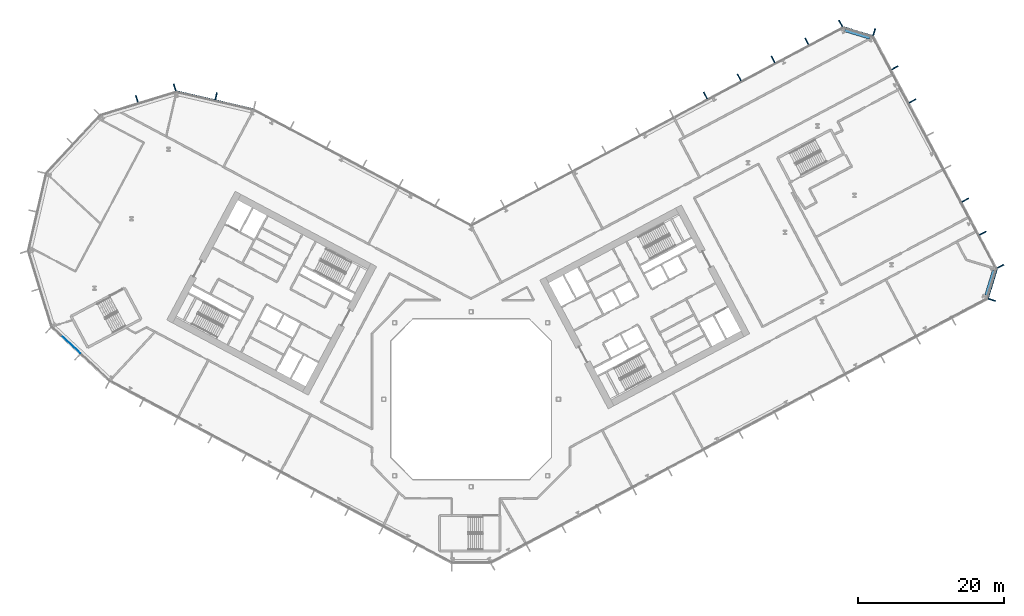
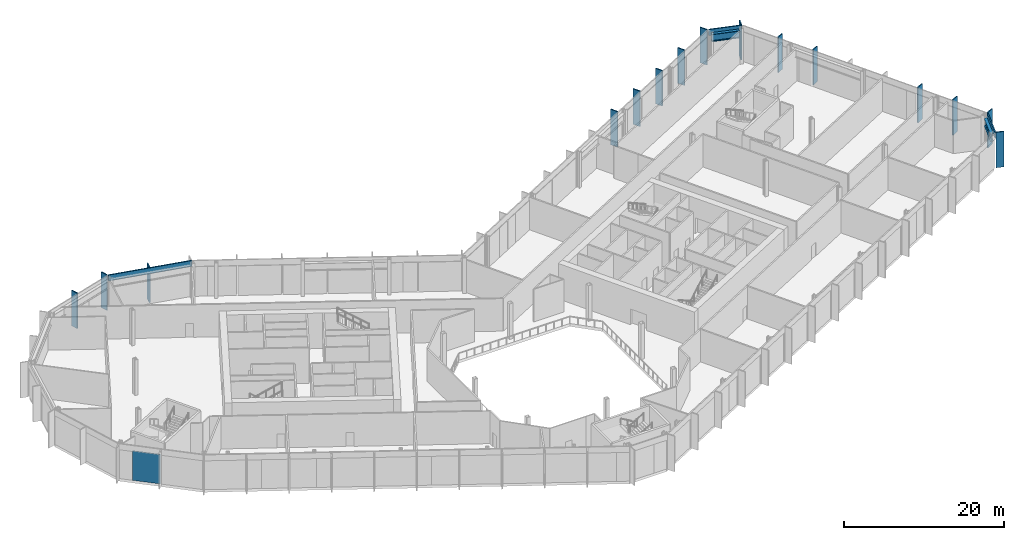
# One storey, part 8 of 32: 18 members, 2 beams, 1 plate, 7 elements without a shape of their own.
"""IFC4 building model written with IfcOpenShell, lengths in metres."""

from ifc_helpers import new_model, si_unit, direction, frame, origin, origin_2d, place, context, subcontext, project, spatial, rectangle, i_section, extrude, material, layer, layer_set, material_profile, profile_set, type_object, element, aggregate, save


model = new_model("IFC4")

# Units and contexts
model_context = context("Model", 3, precision=1e-05, world=origin(), true_north=direction((0.0, 1.0)))
body_context = subcontext(model_context, "Body", "Model", "MODEL_VIEW")
ifc_project = project(units=[si_unit("LENGTHUNIT", "METRE"), si_unit("AREAUNIT", "SQUARE_METRE"), si_unit("VOLUMEUNIT", "CUBIC_METRE"), si_unit("PLANEANGLEUNIT", "RADIAN"), si_unit("MASSUNIT", "GRAM", prefix="KILO")], contexts=[model_context])

# Site, building, storey
site_placement = place(None, origin())
site = spatial("IfcSite", under=ifc_project, at=site_placement, CompositionType="ELEMENT")
building_placement = place(site_placement, origin())
building = spatial("IfcBuilding", under=site, at=building_placement, Name="Cormorant Relay Tower", CompositionType="ELEMENT")
storey_placement = place(building_placement, frame((0.0, 0.0, 28.39990234375)))
storey = spatial("IfcBuildingStorey", under=building, at=storey_placement, Name="L05", CompositionType="ELEMENT", Elevation=28.39990234375)

# Curtain wall, member
ifc_material_1 = material(Name="Aluminium 6063-T6 anodised bronze", Category="aluminium")
ifc_layer_1 = layer(ifc_material_1, 0.235107421875)
ifc_layer_set_1 = layer_set([ifc_layer_1], Name="CW6 data hall curtain wall with mineral wool panels")
curtain_wall_type = type_object("IfcCurtainWallType", Name="CW6 data hall curtain wall with mineral wool panels", PredefinedType="NOTDEFINED", material=ifc_layer_set_1)
curtain_wall_1_placement = place(storey_placement, origin())
curtain_wall_1 = element("IfcCurtainWall", 1, at=curtain_wall_1_placement, inside=storey, type_object=curtain_wall_type, Name="CW6 curtain wall 3", PredefinedType="NOTDEFINED")
ifc_material_2 = material(Name="Aluminium 6063-T6 anodised bronze", Category="aluminium")
ifc_material_profile_1 = material_profile(ifc_material_2, rectangle(XDim=0.14990234375, YDim=1.0, at=origin_2d()), Name="AL 150x1000")
ifc_profile_set_1 = profile_set([ifc_material_profile_1], Name="Aluminium 6063-T6 anodised bronze")
member_type_1 = type_object("IfcMemberType", Name="CW6 bronze fin mullion 150 x 1000", PredefinedType="MULLION", material=ifc_profile_set_1)
member_1_placement = place(storey_placement, frame((71.485107421875, 13.63671875, 0.0), z_axis=(0.0, 0.0, 1.0), x_axis=(0.292371704723, 0.956304755963, 0.0)))
member_1 = element("IfcMember", 2, at=member_1_placement, type_object=member_type_1, Name="CW6 fin 3.1", PredefinedType="MULLION", context=body_context, shape_type="SweptSolid", body=[
    extrude(rectangle(XDim=0.14990234375, YDim=1.0, at=origin_2d()), origin(), (0.0, 0.0, 1.0), 5.400146484375),
])

# Curtain wall, members
curtain_wall_2_placement = place(storey_placement, origin())
curtain_wall_2 = element("IfcCurtainWall", 3, at=curtain_wall_2_placement, inside=storey, type_object=curtain_wall_type, Name="CW6 curtain wall 4", PredefinedType="NOTDEFINED")
member_2_placement = place(storey_placement, frame((72.671630859375, 18.25390625, 0.0), z_axis=(0.0, 0.0, 1.0), x_axis=(-0.469471562786, 0.882947592859, 0.0)))
member_2 = element("IfcMember", 4, at=member_2_placement, type_object=member_type_1, Name="CW6 fin 4.1", PredefinedType="MULLION", context=body_context, shape_type="SweptSolid", body=[
    extrude(rectangle(XDim=0.14990234375, YDim=1.0, at=origin_2d()), origin(), (0.0, 0.0, 1.0), 5.400146484375),
])
member_3_placement = place(storey_placement, frame((70.25732421875, 22.794921875, 0.0), z_axis=(0.0, 0.0, 1.0), x_axis=(-0.469471562786, 0.882947592859, 0.0)))
member_3 = element("IfcMember", 5, at=member_3_placement, type_object=member_type_1, Name="CW6 fin 4.2", PredefinedType="MULLION", context=body_context, shape_type="SweptSolid", body=[
    extrude(rectangle(XDim=0.14990234375, YDim=1.0, at=origin_2d()), origin(), (0.0, 0.0, 1.0), 5.400146484375),
])
member_4_placement = place(storey_placement, frame((67.8427734375, 27.335693359375, 0.0), z_axis=(0.0, 0.0, 1.0), x_axis=(-0.469471562786, 0.882947592859, 0.0)))
member_4 = element("IfcMember", 6, at=member_4_placement, type_object=member_type_1, Name="CW6 fin 4.3", PredefinedType="MULLION", context=body_context, shape_type="SweptSolid", body=[
    extrude(rectangle(XDim=0.14990234375, YDim=1.0, at=origin_2d()), origin(), (0.0, 0.0, 1.0), 5.400146484375),
])
member_5_placement = place(storey_placement, frame((60.599609375, 40.958251953125, 0.0), z_axis=(0.0, 0.0, 1.0), x_axis=(-0.469471562786, 0.882947592859, 0.0)))
member_5 = element("IfcMember", 7, at=member_5_placement, type_object=member_type_1, Name="CW6 fin 4.6", PredefinedType="MULLION", context=body_context, shape_type="SweptSolid", body=[
    extrude(rectangle(XDim=0.14990234375, YDim=1.0, at=origin_2d()), origin(), (0.0, 0.0, 1.0), 5.400146484375),
])
member_6_placement = place(storey_placement, frame((58.18505859375, 45.499267578125, 0.0), z_axis=(0.0, 0.0, 1.0), x_axis=(-0.469471562786, 0.882947592859, 0.0)))
member_6 = element("IfcMember", 8, at=member_6_placement, type_object=member_type_1, Name="CW6 fin 4.7", PredefinedType="MULLION", context=body_context, shape_type="SweptSolid", body=[
    extrude(rectangle(XDim=0.14990234375, YDim=1.0, at=origin_2d()), origin(), (0.0, 0.0, 1.0), 5.400146484375),
])
aggregate(curtain_wall_2, [member_2, member_3, member_4, member_5, member_6])

# Curtain wall, member
curtain_wall_3_placement = place(storey_placement, origin())
curtain_wall_3 = element("IfcCurtainWall", 9, at=curtain_wall_3_placement, inside=storey, type_object=curtain_wall_type, Name="CW6 curtain wall 5", PredefinedType="NOTDEFINED")
member_7_placement = place(storey_placement, frame((55.336669921875, 50.39794921875, 0.0), z_axis=(0.0, 0.0, 1.0), x_axis=(-0.956304755963, 0.292371704723, 0.0)))
member_7 = element("IfcMember", 10, at=member_7_placement, type_object=member_type_1, Name="CW6 fin 5.1", PredefinedType="MULLION", context=body_context, shape_type="SweptSolid", body=[
    extrude(rectangle(XDim=0.14990234375, YDim=1.0, at=origin_2d()), origin(), (0.0, 0.0, 1.0), 5.400146484375),
])

# Curtain wall, members
curtain_wall_4_placement = place(storey_placement, origin())
curtain_wall_4 = element("IfcCurtainWall", 11, at=curtain_wall_4_placement, inside=storey, type_object=curtain_wall_type, Name="CW6 curtain wall 6", PredefinedType="NOTDEFINED")
member_8_placement = place(storey_placement, frame((50.719482421875, 51.58447265625, 0.0), z_axis=(0.0, 0.0, 1.0), x_axis=(-0.882947592859, -0.469471562786, 0.0)))
member_8 = element("IfcMember", 12, at=member_8_placement, type_object=member_type_1, Name="CW6 fin 6.1", PredefinedType="MULLION", context=body_context, shape_type="SweptSolid", body=[
    extrude(rectangle(XDim=0.14990234375, YDim=1.0, at=origin_2d()), origin(), (0.0, 0.0, 1.0), 5.400146484375),
])
member_9_placement = place(storey_placement, frame((46.0771484375, 49.1162109375, 0.0), z_axis=(0.0, 0.0, 1.0), x_axis=(-0.882947592859, -0.469471562786, 0.0)))
member_9 = element("IfcMember", 13, at=member_9_placement, type_object=member_type_1, Name="CW6 fin 6.2", PredefinedType="MULLION", context=body_context, shape_type="SweptSolid", body=[
    extrude(rectangle(XDim=0.14990234375, YDim=1.0, at=origin_2d()), origin(), (0.0, 0.0, 1.0), 5.400146484375),
])
member_10_placement = place(storey_placement, frame((41.43505859375, 46.647705078125, 0.0), z_axis=(0.0, 0.0, 1.0), x_axis=(-0.882947592859, -0.469471562786, 0.0)))
member_10 = element("IfcMember", 14, at=member_10_placement, type_object=member_type_1, Name="CW6 fin 6.3", PredefinedType="MULLION", context=body_context, shape_type="SweptSolid", body=[
    extrude(rectangle(XDim=0.14990234375, YDim=1.0, at=origin_2d()), origin(), (0.0, 0.0, 1.0), 5.400146484375),
])
member_11_placement = place(storey_placement, frame((36.792724609375, 44.179443359375, 0.0), z_axis=(0.0, 0.0, 1.0), x_axis=(-0.882947592859, -0.469471562786, 0.0)))
member_11 = element("IfcMember", 15, at=member_11_placement, type_object=member_type_1, Name="CW6 fin 6.4", PredefinedType="MULLION", context=body_context, shape_type="SweptSolid", body=[
    extrude(rectangle(XDim=0.14990234375, YDim=1.0, at=origin_2d()), origin(), (0.0, 0.0, 1.0), 5.400146484375),
])
member_12_placement = place(storey_placement, frame((32.150390625, 41.711181640625, 0.0), z_axis=(0.0, 0.0, 1.0), x_axis=(-0.882947592859, -0.469471562786, 0.0)))
member_12 = element("IfcMember", 16, at=member_12_placement, type_object=member_type_1, Name="CW6 fin 6.5", PredefinedType="MULLION", context=body_context, shape_type="SweptSolid", body=[
    extrude(rectangle(XDim=0.14990234375, YDim=1.0, at=origin_2d()), origin(), (0.0, 0.0, 1.0), 5.400146484375),
])
aggregate(curtain_wall_4, [member_8, member_9, member_10, member_11, member_12])

# Curtain wall, member
curtain_wall_5_placement = place(storey_placement, origin())
curtain_wall_5 = element("IfcCurtainWall", 17, at=curtain_wall_5_placement, inside=storey, type_object=curtain_wall_type, Name="CW6 curtain wall 8", PredefinedType="NOTDEFINED")
member_13_placement = place(storey_placement, frame((-35.00439453125, 41.60693359375, 0.0), z_axis=(0.0, 0.0, 1.0), x_axis=(-0.974370064785, 0.224951054344, 0.0)))
member_13 = element("IfcMember", 18, at=member_13_placement, type_object=member_type_1, Name="CW6 fin 8.2", PredefinedType="MULLION", context=body_context, shape_type="SweptSolid", body=[
    extrude(rectangle(XDim=0.14990234375, YDim=1.0, at=origin_2d()), origin(), (0.0, 0.0, 1.0), 5.400146484375),
])

# Curtain wall, members
curtain_wall_6_placement = place(storey_placement, origin())
curtain_wall_6 = element("IfcCurtainWall", 19, at=curtain_wall_6_placement, inside=storey, type_object=curtain_wall_type, Name="CW6 curtain wall 9", PredefinedType="NOTDEFINED")
member_14_placement = place(storey_placement, frame((-40.680419921875, 42.81640625, 0.0), z_axis=(0.0, 0.0, 1.0), x_axis=(-0.956304755963, -0.292371704723, 0.0)))
member_14 = element("IfcMember", 20, at=member_14_placement, type_object=member_type_1, Name="CW6 fin 9.1", PredefinedType="MULLION", context=body_context, shape_type="SweptSolid", body=[
    extrude(rectangle(XDim=0.14990234375, YDim=1.0, at=origin_2d()), origin(), (0.0, 0.0, 1.0), 5.400146484375),
])
member_15_placement = place(storey_placement, frame((-45.878173828125, 41.227294921875, 0.0), z_axis=(0.0, 0.0, 1.0), x_axis=(-0.956304755963, -0.292371704723, 0.0)))
member_15 = element("IfcMember", 21, at=member_15_placement, type_object=member_type_1, Name="CW6 fin 9.2", PredefinedType="MULLION", context=body_context, shape_type="SweptSolid", body=[
    extrude(rectangle(XDim=0.14990234375, YDim=1.0, at=origin_2d()), origin(), (0.0, 0.0, 1.0), 5.400146484375),
])
aggregate(curtain_wall_6, [member_14, member_15])

# Member
ifc_material_3 = material(Name="Aluminium 6063-T6 anodised bronze", Category="aluminium")
ifc_material_profile_2 = material_profile(ifc_material_3, rectangle(XDim=0.159912109375, YDim=0.89990234375, at=origin_2d()), Name="AL 160x900")
ifc_profile_set_2 = profile_set([ifc_material_profile_2], Name="Aluminium 6063-T6 anodised bronze")
member_type_2 = type_object("IfcMemberType", Name="CW6 bronze transom 160 x 900", PredefinedType="USERDEFINED", material=ifc_profile_set_2)
member_16_placement = place(storey_placement, frame((70.930419921875, 13.806396484375, 4.9501953125), z_axis=(0.292391046905, 0.95629884225, 0.0), x_axis=(-0.95629884225, 0.292391046905, 0.0)))
member_16 = element("IfcMember", 22, at=member_16_placement, type_object=member_type_2, Name="CW6 transom 3", ObjectType="TRANSOM", PredefinedType="USERDEFINED", context=body_context, shape_type="SweptSolid", body=[
    extrude(rectangle(XDim=0.159912109375, YDim=0.89990234375, at=origin_2d()), origin(), (0.0, 0.0, 1.0), 4.242431640625),
])

aggregate(curtain_wall_1, [member_1, member_16])

member_17_placement = place(storey_placement, frame((55.1669921875, 49.84326171875, 4.9501953125), z_axis=(-0.95629884225, 0.292391046905, 0.0), x_axis=(-0.292391046905, -0.95629884225, 0.0)))
member_17 = element("IfcMember", 23, at=member_17_placement, type_object=member_type_2, Name="CW6 transom 5", ObjectType="TRANSOM", PredefinedType="USERDEFINED", context=body_context, shape_type="SweptSolid", body=[
    extrude(rectangle(XDim=0.159912109375, YDim=0.89990234375, at=origin_2d()), origin(), (0.0, 0.0, 1.0), 4.242431640625),
])

aggregate(curtain_wall_3, [member_7, member_17])

member_18_placement = place(storey_placement, frame((-29.8388671875, 39.819091796875, 4.9501953125), z_axis=(-0.974369993916, 0.22495136131, 0.0), x_axis=(-0.22495136131, -0.974369993916, 0.0)))
member_18 = element("IfcMember", 24, at=member_18_placement, type_object=member_type_2, Name="CW6 transom 8", ObjectType="TRANSOM", PredefinedType="USERDEFINED", context=body_context, shape_type="SweptSolid", body=[
    extrude(rectangle(XDim=0.159912109375, YDim=0.89990234375, at=origin_2d()), origin(), (0.0, 0.0, 1.0), 10.870361328125),
])

aggregate(curtain_wall_5, [member_13, member_18])

# Beams
ifc_material_4 = material(Name="Steel ASTM A992 (Fy 345 MPa)", Category="steel")
ifc_material_profile_3 = material_profile(ifc_material_4, i_section(OverallWidth=0.408935546875, OverallDepth=1.137939453125, WebThickness=0.031005859375, FlangeThickness=0.05517578125, FilletRadius=0.02001953125, at=origin_2d()), Name="W1100x607")
ifc_profile_set_3 = profile_set([ifc_material_profile_3], Name="Steel ASTM A992 (Fy 345 MPa)")
beam_type = type_object("IfcBeamType", Name="Spandrel W1100x607", PredefinedType="SPANDREL", material=ifc_profile_set_3)
beam_1_placement = place(storey_placement, frame((70.697998046875, 14.275390625, 4.381103515625), z_axis=(0.292400100269, 0.956296074112, 0.0), x_axis=(-0.956296074112, 0.292400100269, 0.0)))
element("IfcBeam", 25, at=beam_1_placement, inside=storey, type_object=beam_type, Name="Spandrel beam L05-003", PredefinedType="SPANDREL", context=body_context, shape_type="SweptSolid", body=[
    extrude(i_section(OverallWidth=0.408935546875, OverallDepth=1.137939453125, WebThickness=0.031005859375, FlangeThickness=0.05517578125, FilletRadius=0.02001953125, at=origin_2d()), origin(), (0.0, 0.0, 1.0), 3.552734375),
])
beam_2_placement = place(storey_placement, frame((54.697998046875, 49.61083984375, 4.381103515625), z_axis=(-0.956309414252, 0.292356467713, 0.0), x_axis=(-0.292356467713, -0.956309414252, 0.0)))
element("IfcBeam", 26, at=beam_2_placement, inside=storey, type_object=beam_type, Name="Spandrel beam L05-005", PredefinedType="SPANDREL", context=body_context, shape_type="SweptSolid", body=[
    extrude(i_section(OverallWidth=0.408935546875, OverallDepth=1.137939453125, WebThickness=0.031005859375, FlangeThickness=0.05517578125, FilletRadius=0.02001953125, at=origin_2d()), origin(), (0.0, 0.0, 1.0), 3.552490234375),
])

# Curtain wall, plate
curtain_wall_7_placement = place(storey_placement, origin())
curtain_wall_7 = element("IfcCurtainWall", 27, at=curtain_wall_7_placement, inside=storey, type_object=curtain_wall_type, Name="CW6 curtain wall 13", PredefinedType="NOTDEFINED")
ifc_material_5 = material(Name="Tinted triple-glazed laminated unit")
ifc_layer_2 = layer(ifc_material_5, 0.074951171875)
ifc_layer_set_2 = layer_set([ifc_layer_2], Name="CW6 triple-glazed vision unit 3600 module")
plate_type = type_object("IfcPlateType", Name="CW6 triple-glazed vision unit 3600 module", PredefinedType="CURTAIN_PANEL", material=ifc_layer_set_2)
plate_placement = place(storey_placement, frame((-54.96337890625, 7.54248046875, 0.0), z_axis=(0.0, 0.0, 1.0), x_axis=(0.731353701619, -0.681998360062, 0.0)))
plate = element("IfcPlate", 28, at=plate_placement, type_object=plate_type, Name="CW6 panel V01", PredefinedType="CURTAIN_PANEL", context=body_context, shape_type="SweptSolid", body=[
    extrude(rectangle(XDim=3.60009765625, YDim=0.074951171875, at=origin_2d()), origin(), (0.0, 0.0, 1.0), 4.5),
])
aggregate(curtain_wall_7, [plate])

save(model, "model.ifc")
